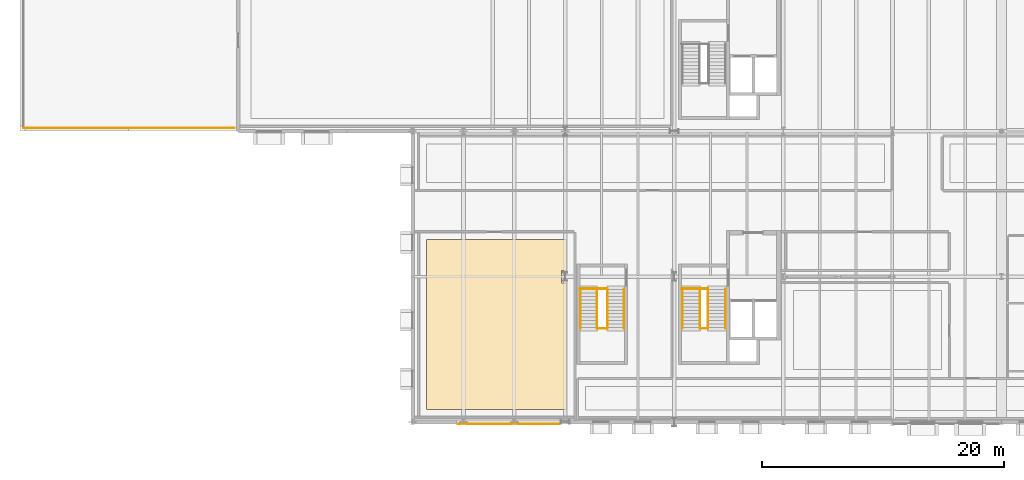
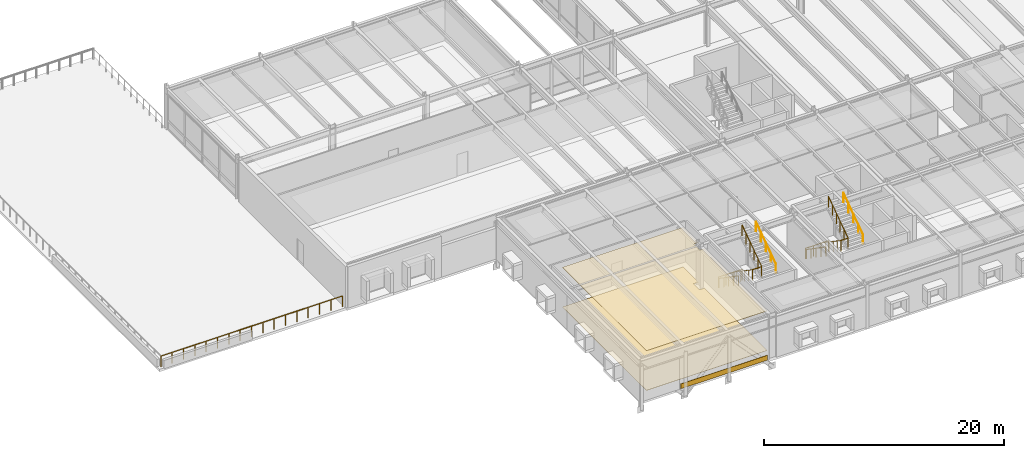
# One storey, part 119 of 127: 13 railings, 3 coverings.
"""IFC4 building model written with IfcOpenShell, lengths in metres."""

from ifc_helpers import new_model, si_unit, direction, frame, origin, origin_2d, place, context, subcontext, project, spatial, polyline, rectangle, circle, outline, extrude, material, layer, layer_set, type_object, element, save


model = new_model("IFC4")

# Units and contexts
model_context = context("Model", 3, precision=1e-05, world=origin(), true_north=direction((0.0, 1.0)))
body_context = subcontext(model_context, "Body", "Model", "MODEL_VIEW")
ifc_project = project(units=[si_unit("LENGTHUNIT", "METRE"), si_unit("AREAUNIT", "SQUARE_METRE"), si_unit("VOLUMEUNIT", "CUBIC_METRE"), si_unit("PLANEANGLEUNIT", "RADIAN"), si_unit("MASSUNIT", "GRAM", prefix="KILO")], contexts=[model_context])

# Site, building, storey
site_placement = place(None, origin())
site = spatial("IfcSite", under=ifc_project, at=site_placement, CompositionType="ELEMENT")
building_placement = place(site_placement, origin())
building = spatial("IfcBuilding", under=site, at=building_placement, Name="Montelvaro Courts of Justice", CompositionType="ELEMENT")
storey_placement = place(building_placement, frame((0.0, 0.0, 5.39990234375)))
storey = spatial("IfcBuildingStorey", under=building, at=storey_placement, Name="L01", CompositionType="ELEMENT", Elevation=5.39990234375)

# Coverings
ifc_material_1 = material(Name="Perforated acoustic gypsum ceiling")
ifc_layer_1 = layer(ifc_material_1, 0.0400390625)
ifc_layer_set_1 = layer_set([ifc_layer_1], Name="Perforated acoustic gypsum ceiling")
covering_type_1 = type_object("IfcCoveringType", Name="AcousticCeiling_Court", PredefinedType="CEILING", material=ifc_layer_set_1)
covering_1_placement = place(storey_placement, frame((0.0, 0.0, 4.02001953125)))
element("IfcCovering", 1, at=covering_1_placement, inside=storey, type_object=covering_type_1, Name="Acoustic Ceiling Panel AC-01 (L01-28)", PredefinedType="CEILING", context=body_context, shape_type="SweptSolid", body=[
    extrude(outline(polyline([(45.14990234375, 15.050048828125), (45.14990234375, 12.508056640625), (44.697998046875, 12.508056640625), (44.697998046875, 11.491943359375), (45.14990234375, 11.491943359375), (45.14990234375, 1.050048828125), (33.550048828125, 1.050048828125), (33.550048828125, 15.050048828125), (45.14990234375, 15.050048828125)])), origin(), (0.0, 0.0, 1.0), 0.0400390625),
])
ifc_material_2 = material(Name="White mineral precast concrete C45/55", Category="concrete")
ifc_layer_2 = layer(ifc_material_2, 0.0400390625)
ifc_layer_set_2 = layer_set([ifc_layer_2], Name="White mineral precast concrete C45/55")
covering_type_2 = type_object("IfcCoveringType", Name="BarCladding_GFRC", PredefinedType="CLADDING", material=ifc_layer_set_2)
covering_2_placement = place(storey_placement, frame((40.31689453125, -0.162109375, 0.030029296875), z_axis=(0.0, 0.0, 1.0), x_axis=(1.0, 0.0, 0.0)))
element("IfcCovering", 2, at=covering_2_placement, inside=storey, type_object=covering_type_2, Name="Horizontal White Bar Spandrel Cladding CL-01-005", PredefinedType="CLADDING", context=body_context, shape_type="SweptSolid", body=[
    extrude(rectangle(XDim=8.35400390625, YDim=0.0400390625, at=origin_2d()), origin(), (0.0, 0.0, 1.0), 0.5),
])

# Railings
ifc_material_3 = material(Name="Steel S355", Category="steel")
railing_type_1 = type_object("IfcRailingType", Name="InteriorGuard_1100", PredefinedType="BALUSTRADE", material=ifc_material_3)
railing_1_placement = place(storey_placement, frame((54.60009765625, 11.0, 0.0)))
element("IfcRailing", 3, at=railing_1_placement, inside=storey, type_object=railing_type_1, Name="Stair Well Guard GR-02 ST-K1-L00-TLG", PredefinedType="BALUSTRADE", context=body_context, shape_type="SweptSolid", body=[
    extrude(circle(Radius=0.02392578125, at=origin_2d()), frame((0.0, 0.0, 1.076171875), z_axis=(1.0, 0.0, 0.0), x_axis=(0.0, 1.0, 0.0)), (0.0, 0.0, 1.0), 2.18994140625),
    extrude(circle(Radius=0.02099609375, at=origin_2d()), origin(), (0.0, 0.0, 1.0), 1.052001953125),
    extrude(circle(Radius=0.02099609375, at=origin_2d()), frame((0.72998046875, 0.0, 0.0)), (0.0, 0.0, 1.0), 1.052001953125),
    extrude(circle(Radius=0.02099609375, at=origin_2d()), frame((1.4599609375, 0.0, 0.0)), (0.0, 0.0, 1.0), 1.052001953125),
    extrude(circle(Radius=0.02099609375, at=origin_2d()), frame((2.18994140625, 0.0, 0.0)), (0.0, 0.0, 1.0), 1.052001953125),
])
railing_2_placement = place(storey_placement, frame((56.110107421875, 11.0, 0.0)))
element("IfcRailing", 4, at=railing_2_placement, inside=storey, type_object=railing_type_1, Name="Stair Well Guard GR-02 ST-K1-L01-F1G", PredefinedType="BALUSTRADE", context=body_context, shape_type="SweptSolid", body=[
    extrude(circle(Radius=0.02392578125, at=origin_2d()), frame((0.0, 0.0, 1.076171875), z_axis=(0.0, -0.823407228882, 0.567450910146), x_axis=(1.0, 0.0, 0.0)), (0.0, 0.0, 1.0), 3.965087890625),
    extrude(circle(Radius=0.02099609375, at=origin_2d()), origin(), (0.0, 0.0, 1.0), 1.052001953125),
    extrude(circle(Radius=0.02099609375, at=origin_2d()), frame((0.0, -0.653076171875, 0.449951171875)), (0.0, 0.0, 1.0), 1.052001953125),
    extrude(circle(Radius=0.02099609375, at=origin_2d()), frame((0.0, -1.305908203125, 0.89990234375)), (0.0, 0.0, 1.0), 1.052001953125),
    extrude(circle(Radius=0.02099609375, at=origin_2d()), frame((0.0, -1.958984375, 1.35009765625)), (0.0, 0.0, 1.0), 1.052001953125),
    extrude(circle(Radius=0.02099609375, at=origin_2d()), frame((0.0, -2.61181640625, 1.800048828125)), (0.0, 0.0, 1.0), 1.052001953125),
    extrude(circle(Radius=0.02099609375, at=origin_2d()), frame((0.0, -3.264892578125, 2.25)), (0.0, 0.0, 1.0), 1.052001953125),
])
railing_3_placement = place(storey_placement, frame((56.7900390625, 7.735107421875, 2.25)))
element("IfcRailing", 5, at=railing_3_placement, inside=storey, type_object=railing_type_1, Name="Stair Well Guard GR-02 ST-K1-L01-F2G", PredefinedType="BALUSTRADE", context=body_context, shape_type="SweptSolid", body=[
    extrude(circle(Radius=0.02392578125, at=origin_2d()), frame((0.0, 0.0, 1.076171875), z_axis=(0.0, 0.823407228882, 0.567450910146), x_axis=(-1.0, 0.0, 0.0)), (0.0, 0.0, 1.0), 3.965087890625),
    extrude(circle(Radius=0.02099609375, at=origin_2d()), origin(), (0.0, 0.0, 1.0), 1.052001953125),
    extrude(circle(Radius=0.02099609375, at=origin_2d()), frame((0.0, 0.653076171875, 0.449951171875)), (0.0, 0.0, 1.0), 1.052001953125),
    extrude(circle(Radius=0.02099609375, at=origin_2d()), frame((0.0, 1.305908203125, 0.89990234375)), (0.0, 0.0, 1.0), 1.052001953125),
    extrude(circle(Radius=0.02099609375, at=origin_2d()), frame((0.0, 1.958984375, 1.35009765625)), (0.0, 0.0, 1.0), 1.052001953125),
    extrude(circle(Radius=0.02099609375, at=origin_2d()), frame((0.0, 2.61181640625, 1.800048828125)), (0.0, 0.0, 1.0), 1.052001953125),
    extrude(circle(Radius=0.02099609375, at=origin_2d()), frame((0.0, 3.264892578125, 2.25)), (0.0, 0.0, 1.0), 1.052001953125),
])
railing_4_placement = place(storey_placement, frame((56.110107421875, 7.735107421875, 2.25)))
element("IfcRailing", 6, at=railing_4_placement, inside=storey, type_object=railing_type_1, Name="Stair Well Guard GR-02 ST-K1-L01-MLG", PredefinedType="BALUSTRADE", context=body_context, shape_type="SweptSolid", body=[
    extrude(circle(Radius=0.02392578125, at=origin_2d()), frame((0.0, 0.0, 1.076171875), z_axis=(1.0, 0.0, 0.0), x_axis=(0.0, 1.0, 0.0)), (0.0, 0.0, 1.0), 0.679931640625),
    extrude(circle(Radius=0.02099609375, at=origin_2d()), origin(), (0.0, 0.0, 1.0), 1.052001953125),
    extrude(circle(Radius=0.02099609375, at=origin_2d()), frame((0.679931640625, 0.0, 0.0)), (0.0, 0.0, 1.0), 1.052001953125),
])
railing_5_placement = place(storey_placement, frame((46.199951171875, 11.0, 0.0)))
element("IfcRailing", 7, at=railing_5_placement, inside=storey, type_object=railing_type_1, Name="Stair Well Guard GR-02 ST-E1-L00-TLG", PredefinedType="BALUSTRADE", context=body_context, shape_type="SweptSolid", body=[
    extrude(circle(Radius=0.02392578125, at=origin_2d()), frame((0.0, 0.0, 1.076171875), z_axis=(1.0, 0.0, 0.0), x_axis=(0.0, 1.0, 0.0)), (0.0, 0.0, 1.0), 2.2900390625),
    extrude(circle(Radius=0.02099609375, at=origin_2d()), origin(), (0.0, 0.0, 1.0), 1.052001953125),
    extrude(circle(Radius=0.02099609375, at=origin_2d()), frame((0.763427734375, 0.0, 0.0)), (0.0, 0.0, 1.0), 1.052001953125),
    extrude(circle(Radius=0.02099609375, at=origin_2d()), frame((1.526611328125, 0.0, 0.0)), (0.0, 0.0, 1.0), 1.052001953125),
    extrude(circle(Radius=0.02099609375, at=origin_2d()), frame((2.2900390625, 0.0, 0.0)), (0.0, 0.0, 1.0), 1.052001953125),
])
railing_6_placement = place(storey_placement, frame((47.610107421875, 11.0, 0.0)))
element("IfcRailing", 8, at=railing_6_placement, inside=storey, type_object=railing_type_1, Name="Stair Well Guard GR-02 ST-E1-L01-F1G", PredefinedType="BALUSTRADE", context=body_context, shape_type="SweptSolid", body=[
    extrude(circle(Radius=0.02392578125, at=origin_2d()), frame((0.0, 0.0, 1.076171875), z_axis=(0.0, -0.823407228882, 0.567450910146), x_axis=(1.0, 0.0, 0.0)), (0.0, 0.0, 1.0), 3.965087890625),
    extrude(circle(Radius=0.02099609375, at=origin_2d()), origin(), (0.0, 0.0, 1.0), 1.052001953125),
    extrude(circle(Radius=0.02099609375, at=origin_2d()), frame((0.0, -0.653076171875, 0.449951171875)), (0.0, 0.0, 1.0), 1.052001953125),
    extrude(circle(Radius=0.02099609375, at=origin_2d()), frame((0.0, -1.305908203125, 0.89990234375)), (0.0, 0.0, 1.0), 1.052001953125),
    extrude(circle(Radius=0.02099609375, at=origin_2d()), frame((0.0, -1.958984375, 1.35009765625)), (0.0, 0.0, 1.0), 1.052001953125),
    extrude(circle(Radius=0.02099609375, at=origin_2d()), frame((0.0, -2.61181640625, 1.800048828125)), (0.0, 0.0, 1.0), 1.052001953125),
    extrude(circle(Radius=0.02099609375, at=origin_2d()), frame((0.0, -3.264892578125, 2.25)), (0.0, 0.0, 1.0), 1.052001953125),
])
railing_7_placement = place(storey_placement, frame((48.489990234375, 7.735107421875, 2.25)))
element("IfcRailing", 9, at=railing_7_placement, inside=storey, type_object=railing_type_1, Name="Stair Well Guard GR-02 ST-E1-L01-F2G", PredefinedType="BALUSTRADE", context=body_context, shape_type="SweptSolid", body=[
    extrude(circle(Radius=0.02392578125, at=origin_2d()), frame((0.0, 0.0, 1.076171875), z_axis=(0.0, 0.823407228882, 0.567450910146), x_axis=(-1.0, 0.0, 0.0)), (0.0, 0.0, 1.0), 3.965087890625),
    extrude(circle(Radius=0.02099609375, at=origin_2d()), origin(), (0.0, 0.0, 1.0), 1.052001953125),
    extrude(circle(Radius=0.02099609375, at=origin_2d()), frame((0.0, 0.653076171875, 0.449951171875)), (0.0, 0.0, 1.0), 1.052001953125),
    extrude(circle(Radius=0.02099609375, at=origin_2d()), frame((0.0, 1.305908203125, 0.89990234375)), (0.0, 0.0, 1.0), 1.052001953125),
    extrude(circle(Radius=0.02099609375, at=origin_2d()), frame((0.0, 1.958984375, 1.35009765625)), (0.0, 0.0, 1.0), 1.052001953125),
    extrude(circle(Radius=0.02099609375, at=origin_2d()), frame((0.0, 2.61181640625, 1.800048828125)), (0.0, 0.0, 1.0), 1.052001953125),
    extrude(circle(Radius=0.02099609375, at=origin_2d()), frame((0.0, 3.264892578125, 2.25)), (0.0, 0.0, 1.0), 1.052001953125),
])
railing_8_placement = place(storey_placement, frame((47.610107421875, 7.735107421875, 2.25)))
element("IfcRailing", 10, at=railing_8_placement, inside=storey, type_object=railing_type_1, Name="Stair Well Guard GR-02 ST-E1-L01-MLG", PredefinedType="BALUSTRADE", context=body_context, shape_type="SweptSolid", body=[
    extrude(circle(Radius=0.02392578125, at=origin_2d()), frame((0.0, 0.0, 1.076171875), z_axis=(1.0, 0.0, 0.0), x_axis=(0.0, 1.0, 0.0)), (0.0, 0.0, 1.0), 0.8798828125),
    extrude(circle(Radius=0.02099609375, at=origin_2d()), origin(), (0.0, 0.0, 1.0), 1.052001953125),
    extrude(circle(Radius=0.02099609375, at=origin_2d()), frame((0.8798828125, 0.0, 0.0)), (0.0, 0.0, 1.0), 1.052001953125),
])

# Covering
ifc_material_4 = material(Name="Alicante limestone judicial flooring", Category="masonry")
ifc_layer_3 = layer(ifc_material_4, 0.030029296875)
ifc_layer_set_3 = layer_set([ifc_layer_3], Name="Alicante limestone judicial flooring")
covering_type_3 = type_object("IfcCoveringType", Name="JudicialStoneFlooring", PredefinedType="FLOORING", material=ifc_layer_set_3)
covering_3_placement = place(storey_placement, origin())
element("IfcCovering", 11, at=covering_3_placement, inside=storey, type_object=covering_type_3, Name="Judicial Stone Flooring FLR-01 (L01-28)", PredefinedType="FLOORING", context=body_context, shape_type="SweptSolid", body=[
    extrude(outline(polyline([(45.14990234375, 15.050048828125), (45.14990234375, 12.508056640625), (44.697998046875, 12.508056640625), (44.697998046875, 11.491943359375), (45.14990234375, 11.491943359375), (45.14990234375, 1.050048828125), (33.550048828125, 1.050048828125), (33.550048828125, 15.050048828125), (45.14990234375, 15.050048828125)])), origin(), (0.0, 0.0, 1.0), 0.030029296875),
])

# Railings
ifc_material_5 = material(Name="Austenitic stainless steel EN 1.4401", Category="steel")
railing_type_2 = type_object("IfcRailingType", Name="StairHandrail_950", PredefinedType="HANDRAIL", material=ifc_material_5)
railing_9_placement = place(storey_placement, frame((54.659912109375, 11.0, 0.0)))
element("IfcRailing", 12, at=railing_9_placement, inside=storey, type_object=railing_type_2, Name="Stair Pitch Handrail HR-01 ST-K1-L01-F1H", PredefinedType="HANDRAIL", context=body_context, shape_type="SweptSolid", body=[
    extrude(circle(Radius=0.02392578125, at=origin_2d()), frame((0.0, 0.0, 0.92578125), z_axis=(0.0, -0.823407228882, 0.567450910146), x_axis=(1.0, 0.0, 0.0)), (0.0, 0.0, 1.0), 3.965087890625),
    extrude(circle(Radius=0.02099609375, at=origin_2d()), origin(), (0.0, 0.0, 1.0), 0.90185546875),
    extrude(circle(Radius=0.02099609375, at=origin_2d()), frame((0.0, -0.816162109375, 0.5625)), (0.0, 0.0, 1.0), 0.90185546875),
    extrude(circle(Radius=0.02099609375, at=origin_2d()), frame((0.0, -1.63232421875, 1.125)), (0.0, 0.0, 1.0), 0.90185546875),
    extrude(circle(Radius=0.02099609375, at=origin_2d()), frame((0.0, -2.44873046875, 1.6875)), (0.0, 0.0, 1.0), 0.90185546875),
    extrude(circle(Radius=0.02099609375, at=origin_2d()), frame((0.0, -3.264892578125, 2.25)), (0.0, 0.0, 1.0), 0.90185546875),
])
railing_10_placement = place(storey_placement, frame((58.239990234375, 7.735107421875, 2.25)))
element("IfcRailing", 13, at=railing_10_placement, inside=storey, type_object=railing_type_2, Name="Stair Pitch Handrail HR-01 ST-K1-L01-F2H", PredefinedType="HANDRAIL", context=body_context, shape_type="SweptSolid", body=[
    extrude(circle(Radius=0.02392578125, at=origin_2d()), frame((0.0, 0.0, 0.92578125), z_axis=(0.0, 0.823407228882, 0.567450910146), x_axis=(-1.0, 0.0, 0.0)), (0.0, 0.0, 1.0), 3.965087890625),
    extrude(circle(Radius=0.02099609375, at=origin_2d()), origin(), (0.0, 0.0, 1.0), 0.90185546875),
    extrude(circle(Radius=0.02099609375, at=origin_2d()), frame((0.0, 0.816162109375, 0.5625)), (0.0, 0.0, 1.0), 0.90185546875),
    extrude(circle(Radius=0.02099609375, at=origin_2d()), frame((0.0, 1.63232421875, 1.125)), (0.0, 0.0, 1.0), 0.90185546875),
    extrude(circle(Radius=0.02099609375, at=origin_2d()), frame((0.0, 2.44873046875, 1.6875)), (0.0, 0.0, 1.0), 0.90185546875),
    extrude(circle(Radius=0.02099609375, at=origin_2d()), frame((0.0, 3.264892578125, 2.25)), (0.0, 0.0, 1.0), 0.90185546875),
])
railing_11_placement = place(storey_placement, frame((46.260009765625, 11.0, 0.0)))
element("IfcRailing", 14, at=railing_11_placement, inside=storey, type_object=railing_type_2, Name="Stair Pitch Handrail HR-01 ST-E1-L01-F1H", PredefinedType="HANDRAIL", context=body_context, shape_type="SweptSolid", body=[
    extrude(circle(Radius=0.02392578125, at=origin_2d()), frame((0.0, 0.0, 0.92578125), z_axis=(0.0, -0.823407228882, 0.567450910146), x_axis=(1.0, 0.0, 0.0)), (0.0, 0.0, 1.0), 3.965087890625),
    extrude(circle(Radius=0.02099609375, at=origin_2d()), origin(), (0.0, 0.0, 1.0), 0.90185546875),
    extrude(circle(Radius=0.02099609375, at=origin_2d()), frame((0.0, -0.816162109375, 0.5625)), (0.0, 0.0, 1.0), 0.90185546875),
    extrude(circle(Radius=0.02099609375, at=origin_2d()), frame((0.0, -1.63232421875, 1.125)), (0.0, 0.0, 1.0), 0.90185546875),
    extrude(circle(Radius=0.02099609375, at=origin_2d()), frame((0.0, -2.44873046875, 1.6875)), (0.0, 0.0, 1.0), 0.90185546875),
    extrude(circle(Radius=0.02099609375, at=origin_2d()), frame((0.0, -3.264892578125, 2.25)), (0.0, 0.0, 1.0), 0.90185546875),
])
railing_12_placement = place(storey_placement, frame((49.840087890625, 7.735107421875, 2.25)))
element("IfcRailing", 15, at=railing_12_placement, inside=storey, type_object=railing_type_2, Name="Stair Pitch Handrail HR-01 ST-E1-L01-F2H", PredefinedType="HANDRAIL", context=body_context, shape_type="SweptSolid", body=[
    extrude(circle(Radius=0.02392578125, at=origin_2d()), frame((0.0, 0.0, 0.92578125), z_axis=(0.0, 0.823407228882, 0.567450910146), x_axis=(-1.0, 0.0, 0.0)), (0.0, 0.0, 1.0), 3.965087890625),
    extrude(circle(Radius=0.02099609375, at=origin_2d()), origin(), (0.0, 0.0, 1.0), 0.90185546875),
    extrude(circle(Radius=0.02099609375, at=origin_2d()), frame((0.0, 0.816162109375, 0.5625)), (0.0, 0.0, 1.0), 0.90185546875),
    extrude(circle(Radius=0.02099609375, at=origin_2d()), frame((0.0, 1.63232421875, 1.125)), (0.0, 0.0, 1.0), 0.90185546875),
    extrude(circle(Radius=0.02099609375, at=origin_2d()), frame((0.0, 2.44873046875, 1.6875)), (0.0, 0.0, 1.0), 0.90185546875),
    extrude(circle(Radius=0.02099609375, at=origin_2d()), frame((0.0, 3.264892578125, 2.25)), (0.0, 0.0, 1.0), 0.90185546875),
])
railing_type_3 = type_object("IfcRailingType", Name="TerraceGuard_1100", PredefinedType="BALUSTRADE", material=ifc_material_3)
railing_13_placement = place(storey_placement, frame((0.280029296875, 24.280029296875, 0.0)))
element("IfcRailing", 16, at=railing_13_placement, inside=storey, type_object=railing_type_3, Name="Terrace Balustrade Guard GR-01 (L01)", PredefinedType="BALUSTRADE", context=body_context, shape_type="SweptSolid", body=[
    extrude(circle(Radius=0.02392578125, at=origin_2d()), frame((0.0, 0.0, 1.076171875), z_axis=(1.0, 0.0, 0.0), x_axis=(0.0, 1.0, 0.0)), (0.0, 0.0, 1.0), 17.43994140625),
    extrude(circle(Radius=0.02099609375, at=origin_2d()), origin(), (0.0, 0.0, 1.0), 1.052001953125),
    extrude(circle(Radius=0.02099609375, at=origin_2d()), frame((1.090087890625, 0.0, 0.0)), (0.0, 0.0, 1.0), 1.052001953125),
    extrude(circle(Radius=0.02099609375, at=origin_2d()), frame((2.179931640625, 0.0, 0.0)), (0.0, 0.0, 1.0), 1.052001953125),
    extrude(circle(Radius=0.02099609375, at=origin_2d()), frame((3.27001953125, 0.0, 0.0)), (0.0, 0.0, 1.0), 1.052001953125),
    extrude(circle(Radius=0.02099609375, at=origin_2d()), frame((4.35986328125, 0.0, 0.0)), (0.0, 0.0, 1.0), 1.052001953125),
    extrude(circle(Radius=0.02099609375, at=origin_2d()), frame((5.449951171875, 0.0, 0.0)), (0.0, 0.0, 1.0), 1.052001953125),
    extrude(circle(Radius=0.02099609375, at=origin_2d()), frame((6.5400390625, 0.0, 0.0)), (0.0, 0.0, 1.0), 1.052001953125),
    extrude(circle(Radius=0.02099609375, at=origin_2d()), frame((7.6298828125, 0.0, 0.0)), (0.0, 0.0, 1.0), 1.052001953125),
    extrude(circle(Radius=0.02099609375, at=origin_2d()), frame((8.719970703125, 0.0, 0.0)), (0.0, 0.0, 1.0), 1.052001953125),
    extrude(circle(Radius=0.02099609375, at=origin_2d()), frame((9.81005859375, 0.0, 0.0)), (0.0, 0.0, 1.0), 1.052001953125),
    extrude(circle(Radius=0.02099609375, at=origin_2d()), frame((10.89990234375, 0.0, 0.0)), (0.0, 0.0, 1.0), 1.052001953125),
    extrude(circle(Radius=0.02099609375, at=origin_2d()), frame((11.989990234375, 0.0, 0.0)), (0.0, 0.0, 1.0), 1.052001953125),
    extrude(circle(Radius=0.02099609375, at=origin_2d()), frame((13.080078125, 0.0, 0.0)), (0.0, 0.0, 1.0), 1.052001953125),
    extrude(circle(Radius=0.02099609375, at=origin_2d()), frame((14.169921875, 0.0, 0.0)), (0.0, 0.0, 1.0), 1.052001953125),
    extrude(circle(Radius=0.02099609375, at=origin_2d()), frame((15.260009765625, 0.0, 0.0)), (0.0, 0.0, 1.0), 1.052001953125),
    extrude(circle(Radius=0.02099609375, at=origin_2d()), frame((16.349853515625, 0.0, 0.0)), (0.0, 0.0, 1.0), 1.052001953125),
    extrude(circle(Radius=0.02099609375, at=origin_2d()), frame((17.43994140625, 0.0, 0.0)), (0.0, 0.0, 1.0), 1.052001953125),
])

save(model, "model.ifc")
